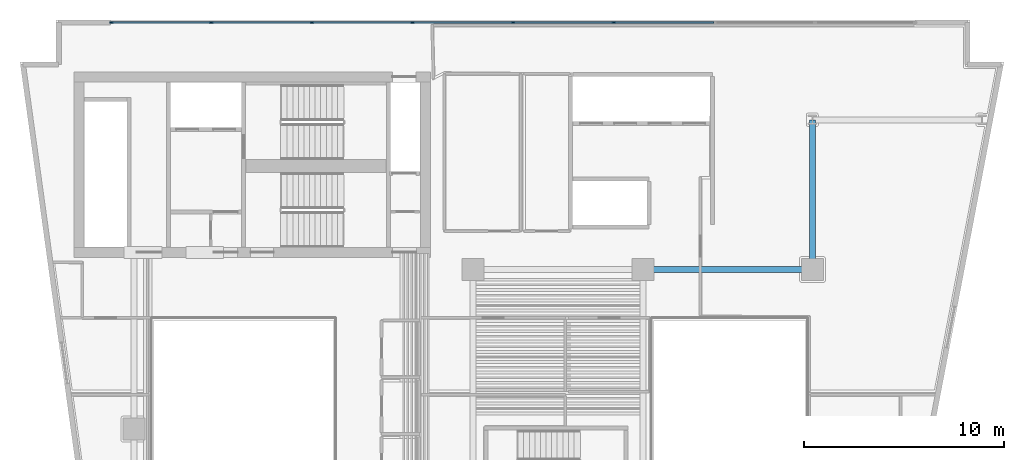
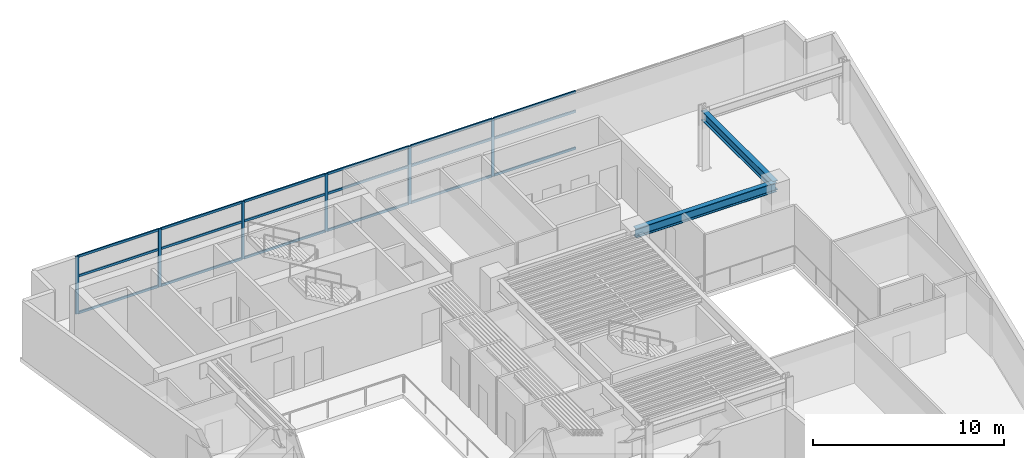
# One storey, part 3 of 13: 24 members, 2 beams, 1 element without a shape of its own.
"""IFC4 building model written with IfcOpenShell, lengths in metres."""

from ifc_helpers import new_model, si_unit, direction, frame, origin, origin_2d, place, context, subcontext, project, spatial, rectangle, i_section, extrude, material, layer, layer_set, material_profile, profile_set, type_object, element, aggregate, save


model = new_model("IFC4")

# Units and contexts
model_context = context("Model", 3, precision=1e-05, world=origin(), true_north=direction((0.0, 1.0)))
body_context = subcontext(model_context, "Body", "Model", "MODEL_VIEW")
ifc_project = project(units=[si_unit("LENGTHUNIT", "METRE"), si_unit("AREAUNIT", "SQUARE_METRE"), si_unit("VOLUMEUNIT", "CUBIC_METRE"), si_unit("PLANEANGLEUNIT", "RADIAN"), si_unit("MASSUNIT", "GRAM", prefix="KILO")], contexts=[model_context])

# Site, building, storey
site_placement = place(None, origin())
site = spatial("IfcSite", under=ifc_project, at=site_placement, CompositionType="ELEMENT")
building_placement = place(site_placement, origin())
building = spatial("IfcBuilding", under=site, at=building_placement, Name="Caeloran Harvest Quay", CompositionType="ELEMENT")
storey_placement = place(building_placement, frame((0.0, 0.0, 158.800048828125)))
storey = spatial("IfcBuildingStorey", under=building, at=storey_placement, Name="L37", CompositionType="ELEMENT", Elevation=158.800048828125)

# Beams
ifc_material_1 = material(Name="Steel S355J2", Category="steel")
ifc_material_profile_1 = material_profile(ifc_material_1, i_section(OverallWidth=0.300048828125, OverallDepth=0.60009765625, WebThickness=0.015380859375, FlangeThickness=0.030029296875, FilletRadius=0.027099609375, at=origin_2d()), Name="HE 600 B")
ifc_profile_set_1 = profile_set([ifc_material_profile_1], Name="Steel S355J2")
beam_type = type_object("IfcBeamType", Name="BM-PG-3-HE_600_B", PredefinedType="BEAM", material=ifc_profile_set_1)
beam_1_placement = place(storey_placement, frame((34.0, 31.0, 3.389892578125), z_axis=(1.0, 0.0, 0.0), x_axis=(0.0, 1.0, 0.0)))
element("IfcBeam", 1, at=beam_1_placement, inside=storey, type_object=beam_type, Name="L37 Primary East-West Girder Y=31.0", PredefinedType="BEAM", context=body_context, shape_type="SweptSolid", body=[
    extrude(i_section(OverallWidth=0.300048828125, OverallDepth=0.60009765625, WebThickness=0.015380859375, FlangeThickness=0.030029296875, FilletRadius=0.027099609375, at=origin_2d()), origin(), (0.0, 0.0, 1.0), 8.5),
])
beam_2_placement = place(storey_placement, frame((42.5, 31.0, 3.389892578125), z_axis=(0.0, 1.0, 0.0), x_axis=(-1.0, 0.0, 0.0)))
element("IfcBeam", 2, at=beam_2_placement, inside=storey, type_object=beam_type, Name="L37 Primary North-South Girder X=42.5", PredefinedType="BEAM", context=body_context, shape_type="SweptSolid", body=[
    extrude(i_section(OverallWidth=0.300048828125, OverallDepth=0.60009765625, WebThickness=0.015380859375, FlangeThickness=0.030029296875, FilletRadius=0.027099609375, at=origin_2d()), origin(), (0.0, 0.0, 1.0), 7.5),
])

# Curtain wall, members
ifc_material_2 = material(Name="Aluminium 6063-T6 and Low-E Glazing", Category="aluminium")
ifc_layer = layer(ifc_material_2, 0.22998046875, Name="Aluminium 6063-T6 and Low-E Glazing")
ifc_layer_set = layer_set([ifc_layer], Name="Aluminium 6063-T6 and Low-E Glazing")
curtain_wall_type = type_object("IfcCurtainWallType", Name="CW-SYS-CW-6", PredefinedType="USERDEFINED", material=ifc_layer_set)
curtain_wall_placement = place(storey_placement, origin())
curtain_wall = element("IfcCurtainWall", 3, at=curtain_wall_placement, inside=storey, type_object=curtain_wall_type, Name="L37 Unitised Curtain Wall CW-6 Run 6", ObjectType="CURTAIN_WALL", PredefinedType="USERDEFINED")
ifc_material_3 = material(Name="Aluminium 6063-T6", Category="aluminium")
ifc_material_profile_2 = material_profile(ifc_material_3, rectangle(XDim=0.080078125, YDim=0.179931640625, at=origin_2d()), Name="CW-MULLION-180")
ifc_profile_set_2 = profile_set([ifc_material_profile_2], Name="Aluminium 6063-T6")
member_type_1 = type_object("IfcMemberType", Name="CW-MULLION-180", PredefinedType="MULLION", material=ifc_profile_set_2)
member_1_placement = place(storey_placement, frame((7.3701171875, 43.3701171875, 0.0), z_axis=(0.0, 0.0, 1.0), x_axis=(0.0, 1.0, 0.0)))
member_1 = element("IfcMember", 4, at=member_1_placement, type_object=member_type_1, Name="CW-6 mullion 1", PredefinedType="MULLION", context=body_context, shape_type="SweptSolid", body=[
    extrude(rectangle(XDim=0.080078125, YDim=0.179931640625, at=origin_2d()), origin(), (0.0, 0.0, 1.0), 3.68994140625),
])
member_2_placement = place(storey_placement, frame((12.37255859375, 43.3701171875, 0.0), z_axis=(0.0, 0.0, 1.0), x_axis=(0.0, 1.0, 0.0)))
member_2 = element("IfcMember", 5, at=member_2_placement, type_object=member_type_1, Name="CW-6 mullion 2", PredefinedType="MULLION", context=body_context, shape_type="SweptSolid", body=[
    extrude(rectangle(XDim=0.080078125, YDim=0.179931640625, at=origin_2d()), origin(), (0.0, 0.0, 1.0), 3.68994140625),
])
member_3_placement = place(storey_placement, frame((17.4150390625, 43.3701171875, 0.0), z_axis=(0.0, 0.0, 1.0), x_axis=(0.0, 1.0, 0.0)))
member_3 = element("IfcMember", 6, at=member_3_placement, type_object=member_type_1, Name="CW-6 mullion 3", PredefinedType="MULLION", context=body_context, shape_type="SweptSolid", body=[
    extrude(rectangle(XDim=0.080078125, YDim=0.179931640625, at=origin_2d()), origin(), (0.0, 0.0, 1.0), 3.68994140625),
])
member_4_placement = place(storey_placement, frame((22.45751953125, 43.3701171875, 0.0), z_axis=(0.0, 0.0, 1.0), x_axis=(0.0, 1.0, 0.0)))
member_4 = element("IfcMember", 7, at=member_4_placement, type_object=member_type_1, Name="CW-6 mullion 4", PredefinedType="MULLION", context=body_context, shape_type="SweptSolid", body=[
    extrude(rectangle(XDim=0.080078125, YDim=0.179931640625, at=origin_2d()), origin(), (0.0, 0.0, 1.0), 3.68994140625),
])
member_5_placement = place(storey_placement, frame((27.5, 43.3701171875, 0.0), z_axis=(0.0, 0.0, 1.0), x_axis=(0.0, 1.0, 0.0)))
member_5 = element("IfcMember", 8, at=member_5_placement, type_object=member_type_1, Name="CW-6 mullion 5", PredefinedType="MULLION", context=body_context, shape_type="SweptSolid", body=[
    extrude(rectangle(XDim=0.080078125, YDim=0.179931640625, at=origin_2d()), origin(), (0.0, 0.0, 1.0), 3.68994140625),
])
member_6_placement = place(storey_placement, frame((32.54248046875, 43.3701171875, 0.0), z_axis=(0.0, 0.0, 1.0), x_axis=(0.0, 1.0, 0.0)))
member_6 = element("IfcMember", 9, at=member_6_placement, type_object=member_type_1, Name="CW-6 mullion 6", PredefinedType="MULLION", context=body_context, shape_type="SweptSolid", body=[
    extrude(rectangle(XDim=0.080078125, YDim=0.179931640625, at=origin_2d()), origin(), (0.0, 0.0, 1.0), 3.68994140625),
])
ifc_material_profile_3 = material_profile(ifc_material_3, rectangle(XDim=0.080078125, YDim=0.14990234375, at=origin_2d()), Name="CW-TRANSOM-150")
ifc_profile_set_3 = profile_set([ifc_material_profile_3], Name="Aluminium 6063-T6")
member_type_2 = type_object("IfcMemberType", Name="CW-TRANSOM-150", PredefinedType="USERDEFINED", material=ifc_profile_set_3)
member_7_placement = place(storey_placement, frame((7.409912109375, 43.3701171875, 0.0400390625), z_axis=(1.0, 0.0, 0.0), x_axis=(0.0, 1.0, 0.0)))
member_7 = element("IfcMember", 10, at=member_7_placement, type_object=member_type_2, Name="CW-6 transom 1.1", ObjectType="TRANSOM", PredefinedType="USERDEFINED", context=body_context, shape_type="SweptSolid", body=[
    extrude(rectangle(XDim=0.080078125, YDim=0.14990234375, at=origin_2d()), origin(), (0.0, 0.0, 1.0), 4.922607421875),
])
member_8_placement = place(storey_placement, frame((7.409912109375, 43.3701171875, 2.39990234375), z_axis=(1.0, 0.0, 0.0), x_axis=(0.0, 1.0, 0.0)))
member_8 = element("IfcMember", 11, at=member_8_placement, type_object=member_type_2, Name="CW-6 transom 1.2", ObjectType="TRANSOM", PredefinedType="USERDEFINED", context=body_context, shape_type="SweptSolid", body=[
    extrude(rectangle(XDim=0.080078125, YDim=0.14990234375, at=origin_2d()), origin(), (0.0, 0.0, 1.0), 4.922607421875),
])
member_9_placement = place(storey_placement, frame((7.409912109375, 43.3701171875, 3.64990234375), z_axis=(1.0, 0.0, 0.0), x_axis=(0.0, 1.0, 0.0)))
member_9 = element("IfcMember", 12, at=member_9_placement, type_object=member_type_2, Name="CW-6 transom 1.3", ObjectType="TRANSOM", PredefinedType="USERDEFINED", context=body_context, shape_type="SweptSolid", body=[
    extrude(rectangle(XDim=0.080078125, YDim=0.14990234375, at=origin_2d()), origin(), (0.0, 0.0, 1.0), 4.922607421875),
])
member_10_placement = place(storey_placement, frame((12.41259765625, 43.3701171875, 0.0400390625), z_axis=(1.0, 0.0, 0.0), x_axis=(0.0, 1.0, 0.0)))
member_10 = element("IfcMember", 13, at=member_10_placement, type_object=member_type_2, Name="CW-6 transom 2.1", ObjectType="TRANSOM", PredefinedType="USERDEFINED", context=body_context, shape_type="SweptSolid", body=[
    extrude(rectangle(XDim=0.080078125, YDim=0.14990234375, at=origin_2d()), origin(), (0.0, 0.0, 1.0), 4.96240234375),
])
member_11_placement = place(storey_placement, frame((12.41259765625, 43.3701171875, 2.39990234375), z_axis=(1.0, 0.0, 0.0), x_axis=(0.0, 1.0, 0.0)))
member_11 = element("IfcMember", 14, at=member_11_placement, type_object=member_type_2, Name="CW-6 transom 2.2", ObjectType="TRANSOM", PredefinedType="USERDEFINED", context=body_context, shape_type="SweptSolid", body=[
    extrude(rectangle(XDim=0.080078125, YDim=0.14990234375, at=origin_2d()), origin(), (0.0, 0.0, 1.0), 4.96240234375),
])
member_12_placement = place(storey_placement, frame((12.41259765625, 43.3701171875, 3.64990234375), z_axis=(1.0, 0.0, 0.0), x_axis=(0.0, 1.0, 0.0)))
member_12 = element("IfcMember", 15, at=member_12_placement, type_object=member_type_2, Name="CW-6 transom 2.3", ObjectType="TRANSOM", PredefinedType="USERDEFINED", context=body_context, shape_type="SweptSolid", body=[
    extrude(rectangle(XDim=0.080078125, YDim=0.14990234375, at=origin_2d()), origin(), (0.0, 0.0, 1.0), 4.96240234375),
])
member_13_placement = place(storey_placement, frame((17.455078125, 43.3701171875, 0.0400390625), z_axis=(1.0, 0.0, 0.0), x_axis=(0.0, 1.0, 0.0)))
member_13 = element("IfcMember", 16, at=member_13_placement, type_object=member_type_2, Name="CW-6 transom 3.1", ObjectType="TRANSOM", PredefinedType="USERDEFINED", context=body_context, shape_type="SweptSolid", body=[
    extrude(rectangle(XDim=0.080078125, YDim=0.14990234375, at=origin_2d()), origin(), (0.0, 0.0, 1.0), 4.96240234375),
])
member_14_placement = place(storey_placement, frame((17.455078125, 43.3701171875, 2.39990234375), z_axis=(1.0, 0.0, 0.0), x_axis=(0.0, 1.0, 0.0)))
member_14 = element("IfcMember", 17, at=member_14_placement, type_object=member_type_2, Name="CW-6 transom 3.2", ObjectType="TRANSOM", PredefinedType="USERDEFINED", context=body_context, shape_type="SweptSolid", body=[
    extrude(rectangle(XDim=0.080078125, YDim=0.14990234375, at=origin_2d()), origin(), (0.0, 0.0, 1.0), 4.96240234375),
])
member_15_placement = place(storey_placement, frame((17.455078125, 43.3701171875, 3.64990234375), z_axis=(1.0, 0.0, 0.0), x_axis=(0.0, 1.0, 0.0)))
member_15 = element("IfcMember", 18, at=member_15_placement, type_object=member_type_2, Name="CW-6 transom 3.3", ObjectType="TRANSOM", PredefinedType="USERDEFINED", context=body_context, shape_type="SweptSolid", body=[
    extrude(rectangle(XDim=0.080078125, YDim=0.14990234375, at=origin_2d()), origin(), (0.0, 0.0, 1.0), 4.96240234375),
])
member_16_placement = place(storey_placement, frame((22.49755859375, 43.3701171875, 0.0400390625), z_axis=(1.0, 0.0, 0.0), x_axis=(0.0, 1.0, 0.0)))
member_16 = element("IfcMember", 19, at=member_16_placement, type_object=member_type_2, Name="CW-6 transom 4.1", ObjectType="TRANSOM", PredefinedType="USERDEFINED", context=body_context, shape_type="SweptSolid", body=[
    extrude(rectangle(XDim=0.080078125, YDim=0.14990234375, at=origin_2d()), origin(), (0.0, 0.0, 1.0), 4.96240234375),
])
member_17_placement = place(storey_placement, frame((22.49755859375, 43.3701171875, 2.39990234375), z_axis=(1.0, 0.0, 0.0), x_axis=(0.0, 1.0, 0.0)))
member_17 = element("IfcMember", 20, at=member_17_placement, type_object=member_type_2, Name="CW-6 transom 4.2", ObjectType="TRANSOM", PredefinedType="USERDEFINED", context=body_context, shape_type="SweptSolid", body=[
    extrude(rectangle(XDim=0.080078125, YDim=0.14990234375, at=origin_2d()), origin(), (0.0, 0.0, 1.0), 4.96240234375),
])
member_18_placement = place(storey_placement, frame((22.49755859375, 43.3701171875, 3.64990234375), z_axis=(1.0, 0.0, 0.0), x_axis=(0.0, 1.0, 0.0)))
member_18 = element("IfcMember", 21, at=member_18_placement, type_object=member_type_2, Name="CW-6 transom 4.3", ObjectType="TRANSOM", PredefinedType="USERDEFINED", context=body_context, shape_type="SweptSolid", body=[
    extrude(rectangle(XDim=0.080078125, YDim=0.14990234375, at=origin_2d()), origin(), (0.0, 0.0, 1.0), 4.96240234375),
])
member_19_placement = place(storey_placement, frame((27.5400390625, 43.3701171875, 0.0400390625), z_axis=(1.0, 0.0, 0.0), x_axis=(0.0, 1.0, 0.0)))
member_19 = element("IfcMember", 22, at=member_19_placement, type_object=member_type_2, Name="CW-6 transom 5.1", ObjectType="TRANSOM", PredefinedType="USERDEFINED", context=body_context, shape_type="SweptSolid", body=[
    extrude(rectangle(XDim=0.080078125, YDim=0.14990234375, at=origin_2d()), origin(), (0.0, 0.0, 1.0), 4.96240234375),
])
member_20_placement = place(storey_placement, frame((27.5400390625, 43.3701171875, 2.39990234375), z_axis=(1.0, 0.0, 0.0), x_axis=(0.0, 1.0, 0.0)))
member_20 = element("IfcMember", 23, at=member_20_placement, type_object=member_type_2, Name="CW-6 transom 5.2", ObjectType="TRANSOM", PredefinedType="USERDEFINED", context=body_context, shape_type="SweptSolid", body=[
    extrude(rectangle(XDim=0.080078125, YDim=0.14990234375, at=origin_2d()), origin(), (0.0, 0.0, 1.0), 4.96240234375),
])
member_21_placement = place(storey_placement, frame((27.5400390625, 43.3701171875, 3.64990234375), z_axis=(1.0, 0.0, 0.0), x_axis=(0.0, 1.0, 0.0)))
member_21 = element("IfcMember", 24, at=member_21_placement, type_object=member_type_2, Name="CW-6 transom 5.3", ObjectType="TRANSOM", PredefinedType="USERDEFINED", context=body_context, shape_type="SweptSolid", body=[
    extrude(rectangle(XDim=0.080078125, YDim=0.14990234375, at=origin_2d()), origin(), (0.0, 0.0, 1.0), 4.96240234375),
])
member_22_placement = place(storey_placement, frame((32.58251953125, 43.3701171875, 0.0400390625), z_axis=(1.0, 0.0, 0.0), x_axis=(0.0, 1.0, 0.0)))
member_22 = element("IfcMember", 25, at=member_22_placement, type_object=member_type_2, Name="CW-6 transom 6.1", ObjectType="TRANSOM", PredefinedType="USERDEFINED", context=body_context, shape_type="SweptSolid", body=[
    extrude(rectangle(XDim=0.080078125, YDim=0.14990234375, at=origin_2d()), origin(), (0.0, 0.0, 1.0), 4.96240234375),
])
member_23_placement = place(storey_placement, frame((32.58251953125, 43.3701171875, 2.39990234375), z_axis=(1.0, 0.0, 0.0), x_axis=(0.0, 1.0, 0.0)))
member_23 = element("IfcMember", 26, at=member_23_placement, type_object=member_type_2, Name="CW-6 transom 6.2", ObjectType="TRANSOM", PredefinedType="USERDEFINED", context=body_context, shape_type="SweptSolid", body=[
    extrude(rectangle(XDim=0.080078125, YDim=0.14990234375, at=origin_2d()), origin(), (0.0, 0.0, 1.0), 4.96240234375),
])
member_24_placement = place(storey_placement, frame((32.58251953125, 43.3701171875, 3.64990234375), z_axis=(1.0, 0.0, 0.0), x_axis=(0.0, 1.0, 0.0)))
member_24 = element("IfcMember", 27, at=member_24_placement, type_object=member_type_2, Name="CW-6 transom 6.3", ObjectType="TRANSOM", PredefinedType="USERDEFINED", context=body_context, shape_type="SweptSolid", body=[
    extrude(rectangle(XDim=0.080078125, YDim=0.14990234375, at=origin_2d()), origin(), (0.0, 0.0, 1.0), 4.96240234375),
])
aggregate(curtain_wall, [member_1, member_2, member_3, member_4, member_5, member_6, member_7, member_8, member_9, member_10, member_11, member_12, member_13, member_14, member_15, member_16, member_17, member_18, member_19, member_20, member_21, member_22, member_23, member_24])

save(model, "model.ifc")
